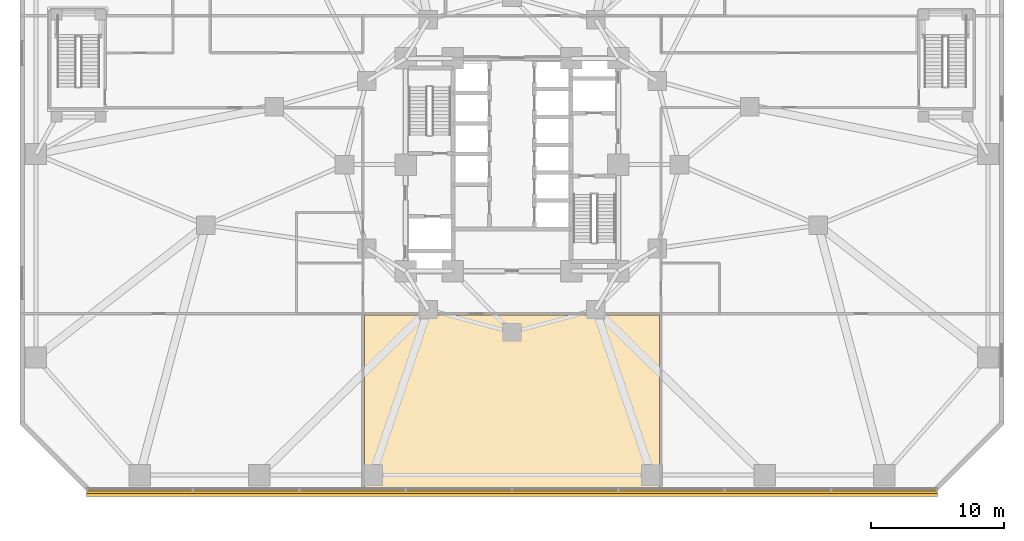
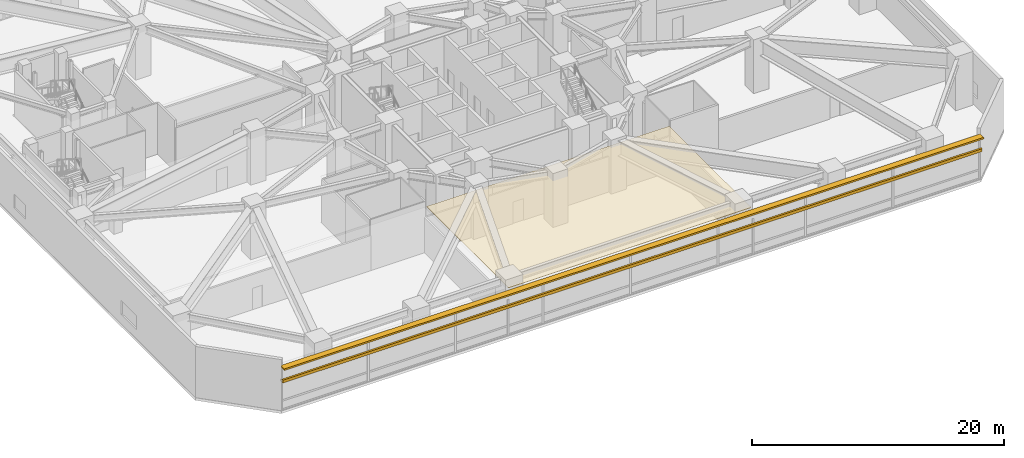
# One storey, part 23 of 27: 2 shading devices, 1 covering.
"""IFC4 building model written with IfcOpenShell, lengths in metres."""

from ifc_helpers import new_model, si_unit, direction, frame, origin, origin_2d, place, context, subcontext, project, spatial, polyline, rectangle, outline, extrude, material, layer, layer_set, type_object, element, save


model = new_model("IFC4")

# Units and contexts
model_context = context("Model", 3, precision=1e-05, world=origin(), true_north=direction((0.0, 1.0)))
body_context = subcontext(model_context, "Body", "Model", "MODEL_VIEW")
ifc_project = project(units=[si_unit("LENGTHUNIT", "METRE"), si_unit("AREAUNIT", "SQUARE_METRE"), si_unit("VOLUMEUNIT", "CUBIC_METRE"), si_unit("PLANEANGLEUNIT", "RADIAN"), si_unit("MASSUNIT", "GRAM", prefix="KILO")], contexts=[model_context])

# Site, building, storey
site_placement = place(None, origin())
site = spatial("IfcSite", under=ifc_project, at=site_placement, CompositionType="ELEMENT")
building_placement = place(site_placement, origin())
building = spatial("IfcBuilding", under=site, at=building_placement, Name="Terralouvre Media Tower", CompositionType="ELEMENT")
storey_placement = place(building_placement, frame((0.0, 0.0, 5.199951171875)))
storey = spatial("IfcBuildingStorey", under=building, at=storey_placement, Name="L01", CompositionType="ELEMENT", Elevation=5.199951171875)

# Covering
ifc_material_1 = material(Name="Perforated aluminium acoustic ceiling baffle", Category="aluminium")
ifc_layer = layer(ifc_material_1, 0.0400390625, Name="Perforated Acoustic Metal Tile Ceiling CL-AC1")
ifc_layer_set = layer_set([ifc_layer], Name="Perforated aluminium acoustic ceiling baffle")
covering_type = type_object("IfcCoveringType", Name="Perforated Acoustic Metal Tile Ceiling CL-AC1", PredefinedType="CEILING", material=ifc_layer_set)
covering_placement = place(storey_placement, frame((0.0, 0.0, 4.429931640625)))
element("IfcCovering", 1, at=covering_placement, inside=storey, type_object=covering_type, Name="L01 L01 Live Audience Warm-Up Foyer 3 Acoustic Ceiling", PredefinedType="CEILING", context=body_context, shape_type="SweptSolid", body=[
    extrude(outline(polyline([(-11.10009765625, -11.300048828125), (-11.10009765625, -24.280029296875), (11.10009765625, -24.280029296875), (11.10009765625, -11.300048828125), (-11.10009765625, -11.300048828125)])), origin(), (0.0, 0.0, 1.0), 0.0400390625),
])

# Shading devices
ifc_material_2 = material(Name="Extruded terracotta baguette sunshade louvres", Category="masonry")
shading_device_type_1 = type_object("IfcShadingDeviceType", Name="Podium Deep Terracotta Sunshade Canopy Blade TB-SH1", PredefinedType="USERDEFINED", material=ifc_material_2)
shading_device_1_placement = place(storey_placement, frame((0.0, -24.679931640625, 4.18994140625), z_axis=(0.0, 0.0, 1.0), x_axis=(1.0, 0.0, 0.0)))
element("IfcShadingDevice", 2, at=shading_device_1_placement, inside=storey, type_object=shading_device_type_1, Name="L01 Podium Deep Sunshade Blade F0", ObjectType="SUNSHADE", PredefinedType="USERDEFINED", context=body_context, shape_type="SweptSolid", body=[
    extrude(rectangle(XDim=64.0, YDim=0.550048828125, at=origin_2d()), origin(), (0.0, 0.0, 1.0), 0.159912109375),
])
ifc_material_3 = material(Name="Extruded terracotta baguette sunshade louvres", Category="masonry")
shading_device_type_2 = type_object("IfcShadingDeviceType", Name="Terracotta Baguette Sunshade Louvre Screen TB-LV1", PredefinedType="USERDEFINED", material=ifc_material_3)
shading_device_2_placement = place(storey_placement, frame((0.0, -24.6201171875, 2.82470703125), z_axis=(0.0, 0.0, 1.0), x_axis=(1.0, 0.0, 0.0)))
element("IfcShadingDevice", 3, at=shading_device_2_placement, inside=storey, type_object=shading_device_type_2, Name="CW-L01-F0 Terracotta Baguette Sunshade Louvre", ObjectType="BAGUETTE", PredefinedType="USERDEFINED", context=body_context, shape_type="SweptSolid", body=[
    extrude(rectangle(XDim=64.0, YDim=0.179931640625, at=origin_2d()), origin(), (0.0, 0.0, 1.0), 0.280029296875),
])

save(model, "model.ifc")
